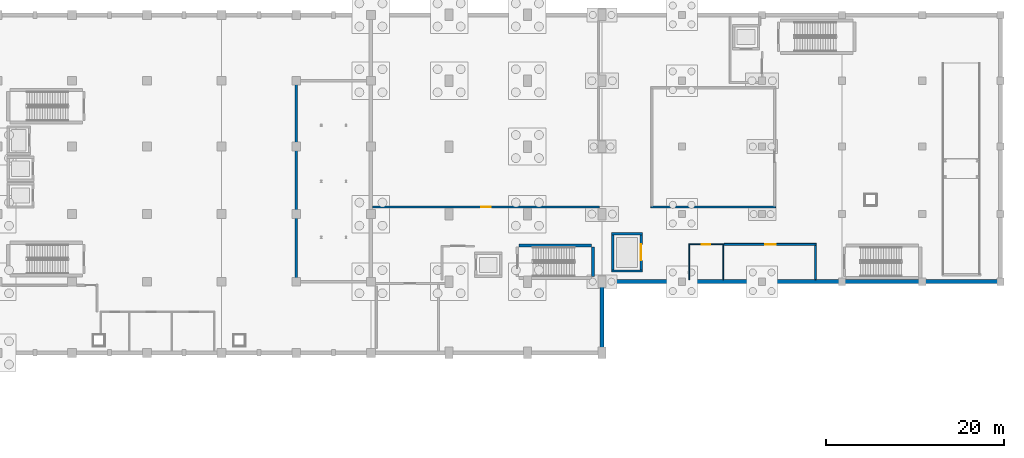
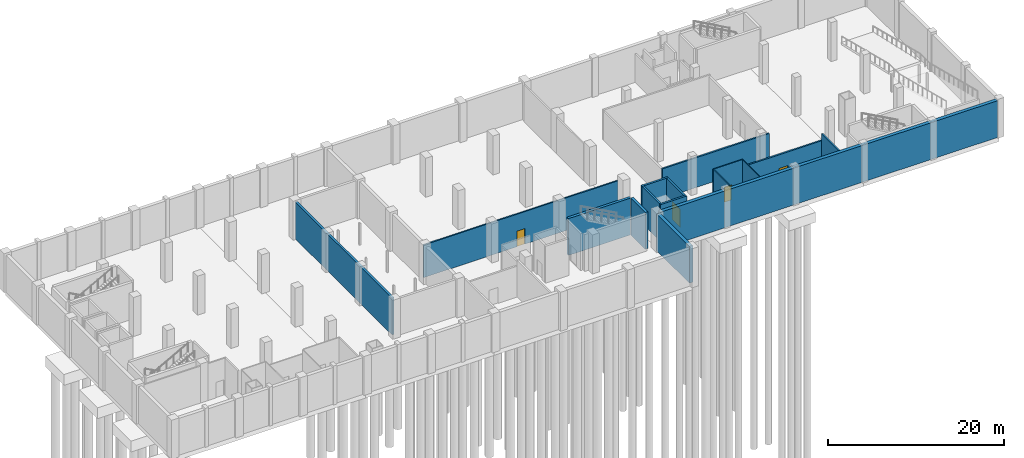
# One storey, part 12 of 20: 16 walls, 4 doors, 4 openings.
"""IFC4 building model written with IfcOpenShell, lengths in metres."""

import ifcopenshell
import ifcopenshell.guid

model = None  # the IFC model being written
_history = None  # IfcOwnerHistory: only IFC2X3 demands one
_inside = {}  # id of a spatial element -> (the spatial element, [elements in it])
_under = {}  # id of a project, library or spatial element -> (it, [spatial elements below it])
_declared = {}  # id of a project -> (the project, [libraries it declares])
_typed = {}  # id of a type object -> (the type object, [elements of that type])
_made_of = {}  # id of a material, layer set ... -> (it, [elements and type objects made of it])


def new_model(schema):
    """Start an empty IFC model of exactly this schema.

    Asked for "IFC4X3", IfcOpenShell would pick the latest addendum, in which some entities
    have other attributes; the version numbers below select the first issue.
    IFC2X3 requires an IfcOwnerHistory on every rooted entity: one is made here for all.
    """
    global model, _history
    if schema == "IFC4X3":
        model = ifcopenshell.file(schema_version=(4, 3, 0, 0))
    else:
        model = ifcopenshell.file(schema=schema)
    _inside.clear()
    _under.clear()
    _declared.clear()
    _typed.clear()
    _made_of.clear()
    _history = None
    if model.schema == "IFC2X3":
        org = make("IfcOrganization", Name="unknown")
        user = make(
            "IfcPersonAndOrganization",
            ThePerson=make("IfcPerson", FamilyName="unknown"),
            TheOrganization=org,
        )
        app = make(
            "IfcApplication",
            ApplicationDeveloper=org,
            Version="unknown",
            ApplicationFullName="unknown",
            ApplicationIdentifier="unknown",
        )
        _history = make(
            "IfcOwnerHistory",
            OwningUser=user,
            OwningApplication=app,
            ChangeAction="ADDED",
            CreationDate=0,
        )
    return model


def make(cls, **values):
    """One entity of the class cls with the attributes given. An attribute that is None is left unset."""
    return model.create_entity(
        cls, **{name: value for name, value in values.items() if value is not None}
    )


def rooted(cls, **values):
    """An entity with a GlobalId (a new one), such as an element, a storey or a relation."""
    return make(cls, GlobalId=ifcopenshell.guid.new(), OwnerHistory=_history, **values)


def si_unit(unit_type, name, prefix=None):
    """IfcSIUnit, for example si_unit("LENGTHUNIT", "METRE", prefix="MILLI")."""
    return make("IfcSIUnit", UnitType=unit_type, Prefix=prefix, Name=name)


def assignment(units):
    """IfcUnitAssignment: the units of a project."""
    return None if units is None else make("IfcUnitAssignment", Units=units)


def point(xyz):
    """IfcCartesianPoint."""
    return None if xyz is None else make("IfcCartesianPoint", Coordinates=xyz)


def direction(xyz):
    """IfcDirection."""
    return None if xyz is None else make("IfcDirection", DirectionRatios=xyz)


def frame(location, z_axis=None, x_axis=None):
    """IfcAxis2Placement3D, a coordinate frame: its origin and axes. An axis left out is left unset."""
    return make(
        "IfcAxis2Placement3D",
        Location=point(location),
        Axis=direction(z_axis),
        RefDirection=direction(x_axis),
    )


def frame_2d(location, x_axis=None):
    """IfcAxis2Placement2D, a coordinate frame in the plane: its origin and x axis."""
    return make(
        "IfcAxis2Placement2D", Location=point(location), RefDirection=direction(x_axis)
    )


def origin():
    """The frame at (0, 0, 0) with its axes left unset."""
    return frame((0.0, 0.0, 0.0))


def place(relative_to, where):
    """IfcLocalPlacement: puts the frame where relative to a parent placement (None: the world)."""
    return make(
        "IfcLocalPlacement", PlacementRelTo=relative_to, RelativePlacement=where
    )


def context(
    kind, dimensions, precision=None, world=None, true_north=None, identifier=None
):
    """IfcGeometricRepresentationContext, for example the 3D "Model" context."""
    return make(
        "IfcGeometricRepresentationContext",
        ContextIdentifier=identifier,
        ContextType=kind,
        CoordinateSpaceDimension=dimensions,
        Precision=precision,
        WorldCoordinateSystem=world,
        TrueNorth=true_north,
    )


def subcontext(parent, identifier, kind, view, scale=None):
    """IfcGeometricRepresentationSubContext, for example "Body" below "Model"."""
    return make(
        "IfcGeometricRepresentationSubContext",
        ContextIdentifier=identifier,
        ContextType=kind,
        ParentContext=parent,
        TargetScale=scale,
        TargetView=view,
    )


def project(units=None, contexts=None):
    """IfcProject with its units and contexts."""
    return rooted(
        "IfcProject",
        Name="project",
        RepresentationContexts=contexts,
        UnitsInContext=assignment(units),
    )


def spatial(cls, under=None, at=None, **own):
    """A site, building, storey or space (cls), placed at a placement, below another one or the project."""
    s = rooted(cls, ObjectPlacement=at, **own)
    if under is not None:
        _under.setdefault(under.id(), (under, []))[1].append(s)
    return s


def profile(cls, at=None, kind="AREA", **sizes):
    """A parametric profile (cls). Its sizes go by their IFC names, for example OverallWidth=200.0."""
    return make(cls, ProfileType=kind, Position=at, **sizes)


def rectangle(**sizes):
    """IfcRectangleProfileDef."""
    return profile("IfcRectangleProfileDef", **sizes)


def extrude(swept, where, along, depth):
    """IfcExtrudedAreaSolid: the profile swept, set in the frame where, extruded along a direction by depth."""
    return make(
        "IfcExtrudedAreaSolid",
        SweptArea=swept,
        Position=where,
        ExtrudedDirection=direction(along),
        Depth=depth,
    )


def shape(context_of_items, identifier, shape_type, items):
    """IfcShapeRepresentation: the items that make up one representation, for example the "Body"."""
    return make(
        "IfcShapeRepresentation",
        ContextOfItems=context_of_items,
        RepresentationIdentifier=identifier,
        RepresentationType=shape_type,
        Items=items,
    )


def material(Name=None, Category=None):
    """IfcMaterial."""
    return make("IfcMaterial", Name=Name, Category=Category)


def layer(
    of_material, thickness, ventilated=None, Name=None, Category=None, Priority=None
):
    """IfcMaterialLayer: one layer of a wall or slab, of a material (None: an air gap)."""
    return make(
        "IfcMaterialLayer",
        Material=of_material,
        LayerThickness=thickness,
        IsVentilated=ventilated,
        Name=Name,
        Category=Category,
        Priority=Priority,
    )


def layer_set(layers, Name=None):
    """IfcMaterialLayerSet."""
    return make("IfcMaterialLayerSet", MaterialLayers=layers, LayerSetName=Name)


def made_of(thing, what):
    """Note that an element or type object is made of a material, layer set ...; save() writes the relation."""
    if what is not None:
        _made_of.setdefault(what.id(), (what, []))[1].append(thing)
    return thing


def type_object(cls, material=None, **own):
    """A type object (cls), such as IfcWallType, which elements share."""
    return made_of(rooted(cls, **own), material)


def element(
    cls,
    number,
    at=None,
    inside=None,
    cuts=None,
    type_object=None,
    material=None,
    context=None,
    identifier="Body",
    shape_type=None,
    held_by="IfcProductDefinitionShape",
    body=None,
    shapes=None,
    **own,
):
    """One element of the class cls, such as IfcWall. Its Tag is "e" and its number.

    at: its placement. inside: the storey or other place that contains it. cuts: it is an
    opening in that element (IfcRelVoidsElement). A single representation is given by context,
    identifier, shape_type and body (its items); several are given by shapes. held_by: the class
    of the entity that holds the representations. save() writes the other relations.
    """
    e = rooted(cls, Tag="e%d" % number, ObjectPlacement=at, **own)
    if body is not None:
        shapes = [shape(context, identifier, shape_type, body)]
    if shapes is not None:
        e.Representation = make(held_by, Representations=shapes)
    if inside is not None:
        _inside.setdefault(inside.id(), (inside, []))[1].append(e)
    if cuts is not None:
        rooted(
            "IfcRelVoidsElement", RelatingBuildingElement=cuts, RelatedOpeningElement=e
        )
    if type_object is not None:
        _typed.setdefault(type_object.id(), (type_object, []))[1].append(e)
    return made_of(e, material)


def fill(opening, filler):
    """IfcRelFillsElement: the door or window that sits in an opening."""
    return rooted(
        "IfcRelFillsElement",
        RelatingOpeningElement=opening,
        RelatedBuildingElement=filler,
    )


def aggregate(whole, parts):
    """IfcRelAggregates: a whole, such as a stair, and the parts it consists of."""
    return rooted("IfcRelAggregates", RelatingObject=whole, RelatedObjects=parts)


def save(model, path):
    """Write the relations noted so far, then the file.

    IfcRelAggregates (storeys below a building ...), IfcRelContainedInSpatialStructure (elements
    in a storey), IfcRelDefinesByType, IfcRelAssociatesMaterial and IfcRelDeclares: one each for
    every whole, place, type object, material and project.
    """
    for whole, parts in _under.values():
        aggregate(whole, parts)
    for where, things in _inside.values():
        rooted(
            "IfcRelContainedInSpatialStructure",
            RelatedElements=things,
            RelatingStructure=where,
        )
    for kind, things in _typed.values():
        rooted("IfcRelDefinesByType", RelatedObjects=things, RelatingType=kind)
    for what, things in _made_of.values():
        rooted("IfcRelAssociatesMaterial", RelatedObjects=things, RelatingMaterial=what)
    for by, libraries in _declared.values():
        rooted("IfcRelDeclares", RelatingContext=by, RelatedDefinitions=libraries)
    model.write(path)


model = new_model("IFC4")

# Units and contexts
model_context = context("Model", 3, precision=1e-05, world=origin(), true_north=direction((0.0, 1.0)))
body_context = subcontext(model_context, "Body", "Model", "MODEL_VIEW")
ifc_project = project(units=[si_unit("LENGTHUNIT", "METRE"), si_unit("AREAUNIT", "SQUARE_METRE"), si_unit("VOLUMEUNIT", "CUBIC_METRE"), si_unit("PLANEANGLEUNIT", "RADIAN"), si_unit("MASSUNIT", "GRAM", prefix="KILO")], contexts=[model_context])

# Site, building, storey
site_placement = place(None, origin())
site = spatial("IfcSite", under=ifc_project, at=site_placement, CompositionType="ELEMENT")
building_placement = place(site_placement, origin())
building = spatial("IfcBuilding", under=site, at=building_placement, Name="Shengluoqiao Park Theatre", CompositionType="ELEMENT")
storey_placement = place(building_placement, frame((0.0, 0.0, -5.39990234375)))
storey = spatial("IfcBuildingStorey", under=building, at=storey_placement, Name="B1", CompositionType="ELEMENT", Elevation=-5.39990234375)

# Wall
ifc_material_1 = material(Name="Concrete blockwork B06", Category="masonry")
ifc_layer_1 = layer(ifc_material_1, 0.2099609375, Name="Concrete blockwork B06")
ifc_layer_set_1 = layer_set([ifc_layer_1], Name="Concrete blockwork B06")
wall_type_1 = type_object("IfcWallType", Name="INT-WL-CMP210", PredefinedType="PARTITIONING", material=ifc_layer_set_1)
wall_1_placement = place(storey_placement, frame((117.89501953125, 92.39990234375, 0.0), z_axis=(0.0, 0.0, 1.0), x_axis=(1.0, 0.0, 0.0)))
element("IfcWall", 1, at=wall_1_placement, inside=storey, type_object=wall_type_1, Name="Chiller and Heat-Pump Plant Room Partition S", PredefinedType="PARTITIONING", context=body_context, shape_type="SweptSolid", body=[
    extrude(rectangle(XDim=14.010009765625, YDim=0.2099609375, at=frame_2d((7.0048828125, 0.0))), origin(), (0.0, 0.0, 1.0), 4.1279296875),
])

# Wall, opening, door
wall_2_placement = place(storey_placement, frame((126.135009765625, 88.199951171875, 0.0), z_axis=(0.0, 0.0, 1.0), x_axis=(1.0, 0.0, 0.0)))
wall_2 = element("IfcWall", 2, at=wall_2_placement, inside=storey, type_object=wall_type_1, Name="High-Voltage Electrical Substation Room Partition N", PredefinedType="PARTITIONING", context=body_context, shape_type="SweptSolid", body=[
    extrude(rectangle(XDim=10.369873046875, YDim=0.2099609375, at=frame_2d((5.18505859375, 0.0))), origin(), (0.0, 0.0, 1.0), 4.1279296875),
])
opening_1_placement = place(wall_2_placement, frame((4.594970703125, 0.0, 0.0)))
opening_1 = element("IfcOpeningElement", 3, at=opening_1_placement, cuts=wall_2, Name="Opening D-B1-009", PredefinedType="OPENING", context=body_context, shape_type="SweptSolid", body=[
    extrude(rectangle(XDim=1.179931640625, YDim=2.219970703125, at=frame_2d((0.58984375, 1.10986328125))), frame((0.0, 0.114990234375, 0.0), z_axis=(0.0, -1.0, 0.0), x_axis=(1.0, 0.0, 0.0)), (0.0, 0.0, 1.0), 0.22998046875),
])
ifc_material_2 = material(Name="Steel Q355", Category="steel")
door_type_1 = type_object("IfcDoorType", Name="INT-DR-PLT118", OperationType="NOTDEFINED", PredefinedType="DOOR", material=ifc_material_2)
door_1_placement = place(opening_1_placement, origin())
door_1 = element("IfcDoor", 4, at=door_1_placement, inside=storey, type_object=door_type_1, Name="High-Voltage Electrical Substation Room Door D-B1-009", OperationType="SINGLE_SWING_LEFT", OverallHeight=2.219970703125, OverallWidth=1.179931640625, PredefinedType="DOOR", context=body_context, shape_type="SweptSolid", body=[
    extrude(rectangle(XDim=1.179931640625, YDim=2.219970703125, at=frame_2d((0.58984375, 1.10986328125))), frame((0.0, 0.02490234375, 0.0), z_axis=(0.0, -1.0, 0.0), x_axis=(1.0, 0.0, 0.0)), (0.0, 0.0, 1.0), 0.050048828125),
])
fill(opening_1, door_1)

# Wall
wall_3_placement = place(storey_placement, frame((136.39990234375, 84.23291015625, 0.0), z_axis=(0.0, 0.0, 1.0), x_axis=(0.0, 1.0, 0.0)))
element("IfcWall", 5, at=wall_3_placement, inside=storey, type_object=wall_type_1, Name="High-Voltage Electrical Substation Room Partition E", PredefinedType="PARTITIONING", context=body_context, shape_type="SweptSolid", body=[
    extrude(rectangle(XDim=3.856201171875, YDim=0.2099609375, at=frame_2d((1.92822265625, 0.0))), origin(), (0.0, 0.0, 1.0), 5.099853515625),
])

# Wall, opening, door
ifc_material_3 = material(Name="Gypsum acoustic stud", Category="gypsum")
ifc_layer_2 = layer(ifc_material_3, 0.175048828125, Name="Gypsum acoustic stud")
ifc_layer_set_2 = layer_set([ifc_layer_2], Name="Gypsum acoustic stud")
wall_type_2 = type_object("IfcWallType", Name="INT-WL-COR175", PredefinedType="PARTITIONING", material=ifc_layer_set_2)
wall_4_placement = place(storey_placement, frame((86.60791015625, 92.39990234375, 0.0), z_axis=(0.0, 0.0, 1.0), x_axis=(1.0, 0.0, 0.0)))
wall_4 = element("IfcWall", 6, at=wall_4_placement, inside=storey, type_object=wall_type_2, Name="Understage Machinery Room Partition S", PredefinedType="PARTITIONING", context=body_context, shape_type="SweptSolid", body=[
    extrude(rectangle(XDim=25.4794921875, YDim=0.175048828125, at=frame_2d((12.73974609375, 0.0))), origin(), (0.0, 0.0, 1.0), 4.515869140625),
])
opening_2_placement = place(wall_4_placement, frame((12.209716796875, 0.0, 0.0)))
opening_2 = element("IfcOpeningElement", 7, at=opening_2_placement, cuts=wall_4, Name="Opening D-B1-007", PredefinedType="OPENING", context=body_context, shape_type="SweptSolid", body=[
    extrude(rectangle(XDim=1.06005859375, YDim=2.14990234375, at=frame_2d((0.530029296875, 1.074951171875))), frame((0.0, 0.097412109375, 0.0), z_axis=(0.0, -1.0, 0.0), x_axis=(1.0, 0.0, 0.0)), (0.0, 0.0, 1.0), 0.195068359375),
])
ifc_material_4 = material(Name="Acoustic timber", Category="wood")
door_type_2 = type_object("IfcDoorType", Name="INT-DR-SNG106", OperationType="NOTDEFINED", PredefinedType="DOOR", material=ifc_material_4)
door_2_placement = place(opening_2_placement, origin())
door_2 = element("IfcDoor", 8, at=door_2_placement, inside=storey, type_object=door_type_2, Name="Understage Machinery Room Door D-B1-007", OperationType="SINGLE_SWING_LEFT", OverallHeight=2.14990234375, OverallWidth=1.06005859375, PredefinedType="DOOR", context=body_context, shape_type="SweptSolid", body=[
    extrude(rectangle(XDim=1.06005859375, YDim=2.14990234375, at=frame_2d((0.530029296875, 1.074951171875))), frame((0.0, 0.02490234375, 0.0), z_axis=(0.0, -1.0, 0.0), x_axis=(1.0, 0.0, 0.0)), (0.0, 0.0, 1.0), 0.050048828125),
])
fill(opening_2, door_2)

# Walls
ifc_material_5 = material(Name="Concrete C40", Category="concrete")
ifc_layer_3 = layer(ifc_material_5, 0.260009765625, Name="Concrete C40")
ifc_layer_set_3 = layer_set([ifc_layer_3], Name="Concrete C40")
wall_type_3 = type_object("IfcWallType", Name="INT-WL-SHF260", PredefinedType="STANDARD", material=ifc_layer_set_3)
for number, where, z_axis, x_axis, name in (
    (9, (113.469970703125, 85.199951171875, 0.0), (0.0, 0.0, 1.0), (1.0, 0.0, 0.0), "B1 FL1 Lift Shaft Wall South"),
    (10, (113.469970703125, 89.39990234375, 0.0), (0.0, 0.0, 1.0), (1.0, 0.0, 0.0), "B1 FL1 Lift Shaft Wall North"),
):
    element("IfcWall", number, at=place(storey_placement, frame(where, z_axis=z_axis, x_axis=x_axis)), inside=storey, type_object=wall_type_3, Name=name, PredefinedType="STANDARD", context=body_context, shape_type="SweptSolid", body=[
        extrude(rectangle(XDim=3.4599609375, YDim=0.260009765625, at=frame_2d((1.72998046875, 0.0))), origin(), (0.0, 0.0, 1.0), 5.099853515625),
    ])
wall_5_placement = place(storey_placement, frame((113.60009765625, 85.3359375, 0.0), z_axis=(0.0, 0.0, 1.0), x_axis=(0.0, 1.0, 0.0)))
element("IfcWall", 11, at=wall_5_placement, inside=storey, type_object=wall_type_3, Name="B1 FL1 Lift Shaft Wall West", PredefinedType="STANDARD", context=body_context, shape_type="SweptSolid", body=[
    extrude(rectangle(XDim=3.927978515625, YDim=0.260009765625, at=frame_2d((1.9638671875, 0.0))), origin(), (0.0, 0.0, 1.0), 5.099853515625),
])

# Wall, opening, door
wall_6_placement = place(storey_placement, frame((116.800048828125, 85.3359375, 0.0), z_axis=(0.0, 0.0, 1.0), x_axis=(0.0, 1.0, 0.0)))
wall_6 = element("IfcWall", 12, at=wall_6_placement, inside=storey, type_object=wall_type_3, Name="B1 FL1 Lift Shaft Wall East", PredefinedType="STANDARD", context=body_context, shape_type="SweptSolid", body=[
    extrude(rectangle(XDim=3.927978515625, YDim=0.260009765625, at=frame_2d((1.9638671875, 0.0))), origin(), (0.0, 0.0, 1.0), 5.099853515625),
])
opening_3_placement = place(wall_6_placement, frame((1.053955078125, 0.0, 0.0)))
opening_3 = element("IfcOpeningElement", 13, at=opening_3_placement, cuts=wall_6, Name="Opening LD-FL1-B1", PredefinedType="OPENING", context=body_context, shape_type="SweptSolid", body=[
    extrude(rectangle(XDim=1.820068359375, YDim=2.5, at=frame_2d((0.91015625, 1.25))), frame((0.0, 0.139892578125, 0.0), z_axis=(0.0, -1.0, 0.0), x_axis=(1.0, 0.0, 0.0)), (0.0, 0.0, 1.0), 0.280029296875),
])
ifc_material_6 = material(Name="Stainless steel 304", Category="steel")
door_type_3 = type_object("IfcDoorType", Name="INT-DR-LD182", OperationType="SLIDING_TO_LEFT", PredefinedType="DOOR", material=ifc_material_6)
door_3_placement = place(opening_3_placement, origin())
door_3 = element("IfcDoor", 14, at=door_3_placement, inside=storey, type_object=door_type_3, Name="FL1 Lift Landing Door LD-FL1-B1", OperationType="SLIDING_TO_LEFT", OverallHeight=2.5, OverallWidth=1.820068359375, PredefinedType="DOOR", context=body_context, shape_type="SweptSolid", body=[
    extrude(rectangle(XDim=1.820068359375, YDim=2.5, at=frame_2d((0.91015625, 1.25))), frame((0.0, 0.02490234375, 0.0), z_axis=(0.0, -1.0, 0.0), x_axis=(1.0, 0.0, 0.0)), (0.0, 0.0, 1.0), 0.050048828125),
])
fill(opening_3, door_3)

ifc_material_7 = material(Name="Moisture-resistant board")
ifc_layer_4 = layer(ifc_material_7, 0.114990234375, Name="Moisture-resistant board")
ifc_layer_set_4 = layer_set([ifc_layer_4], Name="Moisture-resistant board")
wall_type_4 = type_object("IfcWallType", Name="INT-WL-WCP115", PredefinedType="PARTITIONING", material=ifc_layer_set_4)
wall_7_placement = place(storey_placement, frame((122.142578125, 88.199951171875, 0.0), z_axis=(0.0, 0.0, 1.0), x_axis=(1.0, 0.0, 0.0)))
wall_7 = element("IfcWall", 15, at=wall_7_placement, inside=storey, type_object=wall_type_4, Name="Basement Staff WC Partition N", PredefinedType="PARTITIONING", context=body_context, shape_type="SweptSolid", body=[
    extrude(rectangle(XDim=3.9150390625, YDim=0.114990234375, at=frame_2d((1.95751953125, 0.0))), origin(), (0.0, 0.0, 1.0), 5.099853515625),
])
opening_4_placement = place(wall_7_placement, frame((1.4775390625, 0.0, 0.0)))
opening_4 = element("IfcOpeningElement", 16, at=opening_4_placement, cuts=wall_7, Name="Opening D-B1-004", PredefinedType="OPENING", context=body_context, shape_type="SweptSolid", body=[
    extrude(rectangle(XDim=0.9599609375, YDim=2.080078125, at=frame_2d((0.47998046875, 1.0400390625))), frame((0.0, 0.0673828125, 0.0), z_axis=(0.0, -1.0, 0.0), x_axis=(1.0, 0.0, 0.0)), (0.0, 0.0, 1.0), 0.135009765625),
])
ifc_material_8 = material(Name="Moisture-resistant laminate")
door_type_4 = type_object("IfcDoorType", Name="INT-DR-ACC096", OperationType="NOTDEFINED", PredefinedType="DOOR", material=ifc_material_8)
door_4_placement = place(opening_4_placement, origin())
door_4 = element("IfcDoor", 17, at=door_4_placement, inside=storey, type_object=door_type_4, Name="Basement Staff WC Door D-B1-004", OperationType="SINGLE_SWING_RIGHT", OverallHeight=2.080078125, OverallWidth=0.9599609375, PredefinedType="DOOR", context=body_context, shape_type="SweptSolid", body=[
    extrude(rectangle(XDim=0.9599609375, YDim=2.080078125, at=frame_2d((0.47998046875, 1.0400390625))), frame((0.0, 0.02490234375, 0.0), z_axis=(0.0, -1.0, 0.0), x_axis=(1.0, 0.0, 0.0)), (0.0, 0.0, 1.0), 0.050048828125),
])
fill(opening_4, door_4)

# Walls
for number, where, z_axis, x_axis, name in (
    (18, (122.199951171875, 84.23291015625, 0.0), (0.0, 0.0, 1.0), (0.0, 1.0, 0.0), "Basement Staff WC Partition W"),
    (19, (126.0, 84.23291015625, 0.0), (0.0, 0.0, 1.0), (0.0, 1.0, 0.0), "Basement Staff WC Partition E"),
):
    element("IfcWall", number, at=place(storey_placement, frame(where, z_axis=z_axis, x_axis=x_axis)), inside=storey, type_object=wall_type_4, Name=name, PredefinedType="PARTITIONING", context=body_context, shape_type="SweptSolid", body=[
        extrude(rectangle(XDim=3.903564453125, YDim=0.114990234375, at=frame_2d((1.95166015625, 0.0))), origin(), (0.0, 0.0, 1.0), 5.099853515625),
    ])
ifc_layer_5 = layer(ifc_material_5, 0.449951171875, Name="Concrete C40")
ifc_layer_set_5 = layer_set([ifc_layer_5], Name="Concrete C40")
wall_type_5 = type_object("IfcWallType", Name="STR-SW-B1RET450", PredefinedType="SHEAR", material=ifc_layer_set_5)
wall_8_placement = place(storey_placement, frame((112.39990234375, 76.300048828125, 0.0), z_axis=(0.0, 0.0, 1.0), x_axis=(0.0, 1.0, 0.0)))
element("IfcWall", 20, at=wall_8_placement, inside=storey, type_object=wall_type_5, Name="B1 Basement Retaining Wall 0002", PredefinedType="SHEAR", context=body_context, shape_type="SweptSolid", body=[
    extrude(rectangle(XDim=7.39990234375, YDim=0.449951171875, at=frame_2d((3.699951171875, 0.0))), origin(), (0.0, 0.0, 1.0), 5.099853515625),
])
wall_9_placement = place(storey_placement, frame((112.699951171875, 84.0, 0.0), z_axis=(0.0, 0.0, 1.0), x_axis=(1.0, 0.0, 0.0)))
element("IfcWall", 21, at=wall_9_placement, inside=storey, type_object=wall_type_5, Name="B1 Basement Retaining Wall 0003", PredefinedType="SHEAR", context=body_context, shape_type="SweptSolid", body=[
    extrude(rectangle(XDim=44.199951171875, YDim=0.449951171875, at=frame_2d((22.10009765625, 0.0))), origin(), (0.0, 0.0, 1.0), 5.099853515625),
])
ifc_material_9 = material(Name="Concrete C50", Category="concrete")
ifc_layer_6 = layer(ifc_material_9, 0.35009765625, Name="Concrete C50")
ifc_layer_set_6 = layer_set([ifc_layer_6], Name="Concrete C50")
wall_type_6 = type_object("IfcWallType", Name="STR-SW-CORE350", PredefinedType="SHEAR", material=ifc_layer_set_6)
wall_10_placement = place(storey_placement, frame((111.3798828125, 84.60009765625, 0.0), z_axis=(0.0, 0.0, 1.0), x_axis=(0.0, 1.0, 0.0)))
element("IfcWall", 22, at=wall_10_placement, inside=storey, type_object=wall_type_6, Name="B1 ST-05 Core Far Shear Wall 0086", PredefinedType="SHEAR", context=body_context, shape_type="SweptSolid", body=[
    extrude(rectangle(XDim=3.2998046875, YDim=0.35009765625, at=frame_2d((1.64990234375, 0.0))), origin(), (0.0, 0.0, 1.0), 5.099853515625),
])
wall_11_placement = place(storey_placement, frame((111.199951171875, 88.080078125, 0.0), z_axis=(0.0, 0.0, 1.0), x_axis=(-1.0, 0.0, 0.0)))
element("IfcWall", 23, at=wall_11_placement, inside=storey, type_object=wall_type_6, Name="B1 ST-05 Core Right Shear Wall 0087", PredefinedType="SHEAR", context=body_context, shape_type="SweptSolid", body=[
    extrude(rectangle(XDim=8.14990234375, YDim=0.35009765625, at=frame_2d((4.074951171875, 0.0))), origin(), (0.0, 0.0, 1.0), 5.099853515625),
])
ifc_layer_7 = layer(ifc_material_5, 0.2900390625, Name="Concrete C40")
ifc_layer_set_7 = layer_set([ifc_layer_7], Name="Concrete C40")
wall_type_7 = type_object("IfcWallType", Name="STR-SW-PIT290", PredefinedType="SHEAR", material=ifc_layer_set_7)
wall_12_placement = place(storey_placement, frame((78.0, 84.300048828125, 0.0), z_axis=(0.0, 0.0, 1.0), x_axis=(0.0, 1.0, 0.0)))
element("IfcWall", 24, at=wall_12_placement, inside=storey, type_object=wall_type_7, Name="B1 Orchestra Pit West Wall 0013", PredefinedType="SHEAR", context=body_context, shape_type="SweptSolid", body=[
    extrude(rectangle(XDim=22.0, YDim=0.2900390625, at=frame_2d((11.0, 0.0))), origin(), (0.0, 0.0, 1.0), 5.099853515625),
])

save(model, "model.ifc")
